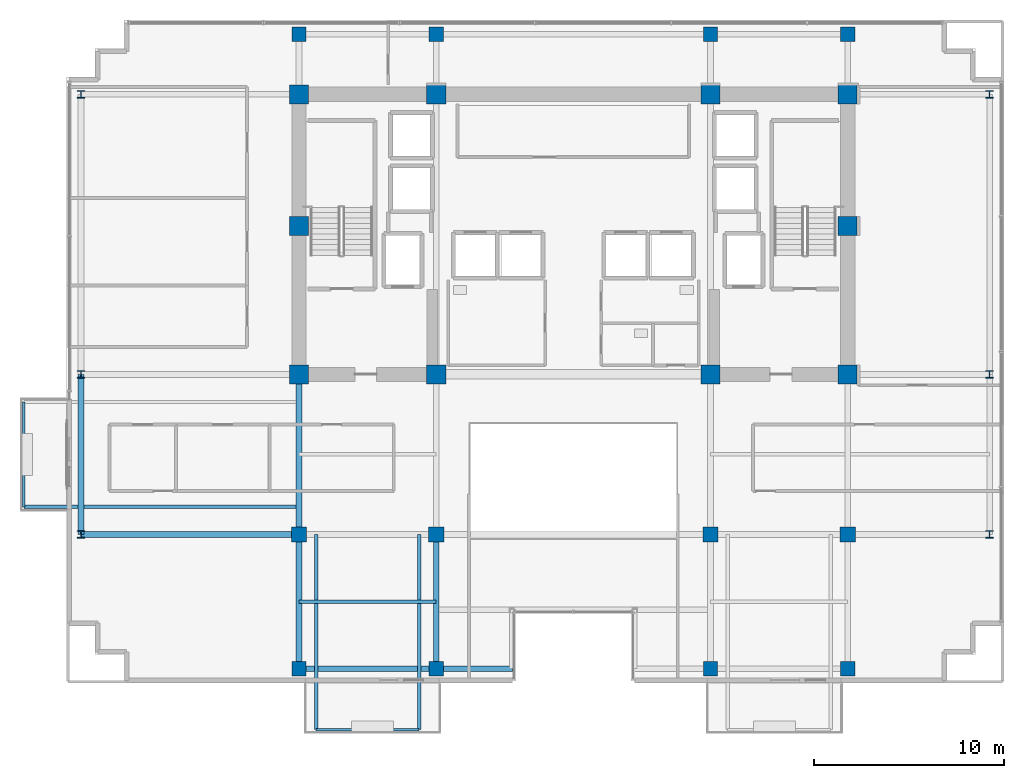
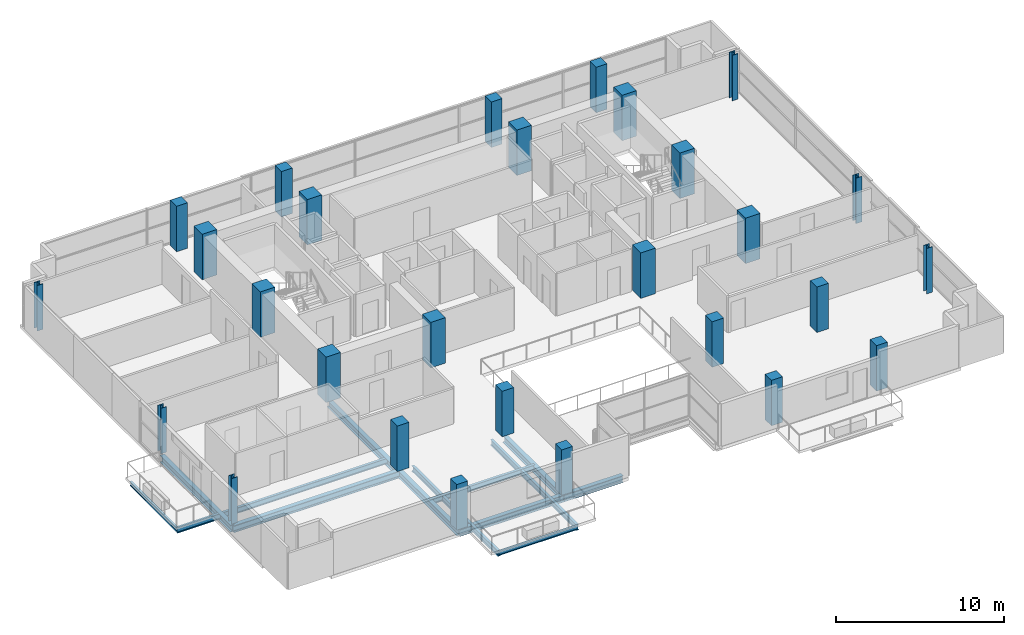
# One storey, part 1 of 21: 28 columns, 13 beams.
"""IFC4 building model written with IfcOpenShell, lengths in metres."""

from ifc_helpers import new_model, si_unit, direction, frame, origin, origin_2d, place, context, subcontext, project, spatial, rectangle, i_section, extrude, material, material_profile, profile_set, type_object, element, save


model = new_model("IFC4")

# Units and contexts
model_context = context("Model", 3, precision=1e-05, world=origin(), true_north=direction((0.0, 1.0)))
body_context = subcontext(model_context, "Body", "Model", "MODEL_VIEW")
ifc_project = project(units=[si_unit("LENGTHUNIT", "METRE"), si_unit("AREAUNIT", "SQUARE_METRE"), si_unit("VOLUMEUNIT", "CUBIC_METRE"), si_unit("PLANEANGLEUNIT", "RADIAN"), si_unit("MASSUNIT", "GRAM", prefix="KILO")], contexts=[model_context])

# Site, building, storey
site_placement = place(None, origin())
site = spatial("IfcSite", under=ifc_project, at=site_placement, CompositionType="ELEMENT")
building_placement = place(site_placement, origin())
building = spatial("IfcBuilding", under=site, at=building_placement, Name="Zarnakvel Exchange Tower", CompositionType="ELEMENT")
storey_placement = place(building_placement, frame((0.0, 0.0, 166.0)))
storey = spatial("IfcBuildingStorey", under=building, at=storey_placement, Name="L46", CompositionType="ELEMENT", Elevation=166.0)

# Columns
ifc_material_1 = material(Name="Concrete C60/75", Category="concrete")
ifc_material_profile_1 = material_profile(ifc_material_1, rectangle(XDim=1.0, YDim=1.0, at=origin_2d()))
ifc_profile_set_1 = profile_set([ifc_material_profile_1], Name="Concrete C60/75")
column_type_1 = type_object("IfcColumnType", Name="CC-02", PredefinedType="COLUMN", material=ifc_profile_set_1)
for number, where, z_axis, x_axis, name in (
    (1, (-14.39990234375, -1.199951171875, 0.0), (0.0, 0.0, 1.0), (1.0, 0.0, 0.0), "L46 Column C-4D (CC-02)"),
    (2, (-7.199951171875, -1.199951171875, 0.0), (0.0, 0.0, 1.0), (1.0, 0.0, 0.0), "L46 Column C-5D (CC-02)"),
    (3, (7.199951171875, -1.199951171875, 0.0), (0.0, 0.0, 1.0), (1.0, 0.0, 0.0), "L46 Column C-8D (CC-02)"),
    (4, (14.39990234375, -1.199951171875, 0.0), (0.0, 0.0, 1.0), (1.0, 0.0, 0.0), "L46 Column C-9D (CC-02)"),
    (5, (-14.39990234375, 6.60009765625, 0.0), (0.0, 0.0, 1.0), (1.0, 0.0, 0.0), "L46 Column C-4E (CC-02)"),
    (6, (14.39990234375, 6.60009765625, 0.0), (0.0, 0.0, 1.0), (1.0, 0.0, 0.0), "L46 Column C-9E (CC-02)"),
    (7, (-14.39990234375, 13.5, 0.0), (0.0, 0.0, 1.0), (1.0, 0.0, 0.0), "L46 Column C-4F (CC-02)"),
    (8, (-7.199951171875, 13.5, 0.0), (0.0, 0.0, 1.0), (1.0, 0.0, 0.0), "L46 Column C-5F (CC-02)"),
    (9, (7.199951171875, 13.5, 0.0), (0.0, 0.0, 1.0), (1.0, 0.0, 0.0), "L46 Column C-8F (CC-02)"),
    (10, (14.39990234375, 13.5, 0.0), (0.0, 0.0, 1.0), (1.0, 0.0, 0.0), "L46 Column C-9F (CC-02)"),
):
    element("IfcColumn", number, at=place(storey_placement, frame(where, z_axis=z_axis, x_axis=x_axis)), inside=storey, type_object=column_type_1, Name=name, PredefinedType="COLUMN", context=body_context, shape_type="SweptSolid", body=[
        extrude(rectangle(XDim=1.0, YDim=1.0, at=origin_2d()), origin(), (0.0, 0.0, 1.0), 3.300048828125),
    ])
ifc_material_2 = material(Name="Steel S355", Category="steel")
ifc_material_profile_2 = material_profile(ifc_material_2, i_section(OverallWidth=0.39892578125, OverallDepth=0.3935546875, WebThickness=0.022705078125, FlangeThickness=0.03662109375, FilletRadius=0.01513671875, at=origin_2d()))
ifc_profile_set_2 = profile_set([ifc_material_profile_2], Name="Steel S355")
column_type_2 = type_object("IfcColumnType", Name="SC-04", PredefinedType="COLUMN", material=ifc_profile_set_2)
for number, where, z_axis, x_axis, name in (
    (11, (-25.85009765625, -9.60009765625, 0.0), (0.0, 0.0, 1.0), (1.0, 0.0, 0.0), "L46 Column TW-C (SC-04)"),
    (12, (21.85009765625, -9.60009765625, 0.0), (0.0, 0.0, 1.0), (1.0, 0.0, 0.0), "L46 Column TE-C (SC-04)"),
    (13, (-25.85009765625, -1.199951171875, 0.0), (0.0, 0.0, 1.0), (1.0, 0.0, 0.0), "L46 Column TW-D (SC-04)"),
    (14, (21.85009765625, -1.199951171875, 0.0), (0.0, 0.0, 1.0), (1.0, 0.0, 0.0), "L46 Column TE-D (SC-04)"),
    (15, (-25.85009765625, 13.5, 0.0), (0.0, 0.0, 1.0), (1.0, 0.0, 0.0), "L46 Column TW-F (SC-04)"),
    (16, (21.85009765625, 13.5, 0.0), (0.0, 0.0, 1.0), (1.0, 0.0, 0.0), "L46 Column TE-F (SC-04)"),
):
    element("IfcColumn", number, at=place(storey_placement, frame(where, z_axis=z_axis, x_axis=x_axis)), inside=storey, type_object=column_type_2, Name=name, PredefinedType="COLUMN", context=body_context, shape_type="SweptSolid", body=[
        extrude(i_section(OverallWidth=0.39892578125, OverallDepth=0.3935546875, WebThickness=0.022705078125, FlangeThickness=0.03662109375, FilletRadius=0.01513671875, at=origin_2d()), origin(), (0.0, 0.0, 1.0), 3.300048828125),
    ])
ifc_material_profile_3 = material_profile(ifc_material_1, rectangle(XDim=0.800048828125, YDim=0.800048828125, at=origin_2d()))
ifc_profile_set_3 = profile_set([ifc_material_profile_3], Name="Concrete C60/75")
column_type_3 = type_object("IfcColumnType", Name="TC-03", PredefinedType="COLUMN", material=ifc_profile_set_3)
for number, where, z_axis, x_axis, name in (
    (17, (-14.39990234375, -9.60009765625, 0.0), (0.0, 0.0, 1.0), (1.0, 0.0, 0.0), "L46 Column T-4C (TC-03)"),
    (18, (-7.199951171875, -9.60009765625, 0.0), (0.0, 0.0, 1.0), (1.0, 0.0, 0.0), "L46 Column T-5C (TC-03)"),
    (19, (7.199951171875, -9.60009765625, 0.0), (0.0, 0.0, 1.0), (1.0, 0.0, 0.0), "L46 Column T-8C (TC-03)"),
    (20, (14.39990234375, -9.60009765625, 0.0), (0.0, 0.0, 1.0), (1.0, 0.0, 0.0), "L46 Column T-9C (TC-03)"),
):
    element("IfcColumn", number, at=place(storey_placement, frame(where, z_axis=z_axis, x_axis=x_axis)), inside=storey, type_object=column_type_3, Name=name, PredefinedType="COLUMN", context=body_context, shape_type="SweptSolid", body=[
        extrude(rectangle(XDim=0.800048828125, YDim=0.800048828125, at=origin_2d()), origin(), (0.0, 0.0, 1.0), 3.300048828125),
    ])
ifc_material_3 = material(Name="Concrete C50/60", Category="concrete")
ifc_material_profile_4 = material_profile(ifc_material_3, rectangle(XDim=0.75, YDim=0.75, at=origin_2d()))
ifc_profile_set_4 = profile_set([ifc_material_profile_4], Name="Concrete C50/60")
column_type_4 = type_object("IfcColumnType", Name="TC-04", PredefinedType="COLUMN", material=ifc_profile_set_4)
for number, where, z_axis, x_axis, name in (
    (21, (-14.39990234375, -16.64990234375, 0.0), (0.0, 0.0, 1.0), (1.0, 0.0, 0.0), "L46 Column TS-4 (TC-04)"),
    (22, (-14.39990234375, 16.64990234375, 0.0), (0.0, 0.0, 1.0), (1.0, 0.0, 0.0), "L46 Column TN-4 (TC-04)"),
    (23, (-7.199951171875, -16.64990234375, 0.0), (0.0, 0.0, 1.0), (1.0, 0.0, 0.0), "L46 Column TS-5 (TC-04)"),
    (24, (-7.199951171875, 16.64990234375, 0.0), (0.0, 0.0, 1.0), (1.0, 0.0, 0.0), "L46 Column TN-5 (TC-04)"),
    (25, (7.199951171875, -16.64990234375, 0.0), (0.0, 0.0, 1.0), (1.0, 0.0, 0.0), "L46 Column TS-8 (TC-04)"),
    (26, (7.199951171875, 16.64990234375, 0.0), (0.0, 0.0, 1.0), (1.0, 0.0, 0.0), "L46 Column TN-8 (TC-04)"),
    (27, (14.39990234375, -16.64990234375, 0.0), (0.0, 0.0, 1.0), (1.0, 0.0, 0.0), "L46 Column TS-9 (TC-04)"),
    (28, (14.39990234375, 16.64990234375, 0.0), (0.0, 0.0, 1.0), (1.0, 0.0, 0.0), "L46 Column TN-9 (TC-04)"),
):
    element("IfcColumn", number, at=place(storey_placement, frame(where, z_axis=z_axis, x_axis=x_axis)), inside=storey, type_object=column_type_4, Name=name, PredefinedType="COLUMN", context=body_context, shape_type="SweptSolid", body=[
        extrude(rectangle(XDim=0.75, YDim=0.75, at=origin_2d()), origin(), (0.0, 0.0, 1.0), 3.300048828125),
    ])

# Beams
ifc_material_profile_5 = material_profile(ifc_material_2, i_section(OverallWidth=0.179931640625, OverallDepth=0.39990234375, WebThickness=0.008544921875, FlangeThickness=0.013427734375, FilletRadius=0.02099609375, at=origin_2d()))
ifc_profile_set_5 = profile_set([ifc_material_profile_5], Name="Steel S355")
beam_type_1 = type_object("IfcBeamType", Name="B-06", PredefinedType="JOIST", material=ifc_profile_set_5)
beam_1_placement = place(storey_placement, frame((-14.39990234375, -13.125, -0.425048828125), z_axis=(1.0, 0.0, 0.0), x_axis=(0.0, 1.0, 0.0)))
element("IfcBeam", 29, at=beam_1_placement, inside=storey, type_object=beam_type_1, Name="L46 Composite Floor Secondary Joist", PredefinedType="JOIST", context=body_context, shape_type="SweptSolid", body=[
    extrude(i_section(OverallWidth=0.179931640625, OverallDepth=0.39990234375, WebThickness=0.008544921875, FlangeThickness=0.013427734375, FilletRadius=0.02099609375, at=origin_2d()), origin(), (0.0, 0.0, 1.0), 7.199951171875),
])
for number, where, z_axis, x_axis, name in (
    (30, (-13.5, -9.60009765625, -0.425048828125), (0.0, -1.0, 0.0), (1.0, 0.0, 0.0), "L46 Continuous Back-Spanned Balcony Beam W"),
    (31, (-8.10009765625, -9.60009765625, -0.425048828125), (0.0, -1.0, 0.0), (1.0, 0.0, 0.0), "L46 Continuous Back-Spanned Balcony Beam E"),
):
    element("IfcBeam", number, at=place(storey_placement, frame(where, z_axis=z_axis, x_axis=x_axis)), inside=storey, type_object=beam_type_1, Name=name, PredefinedType="JOIST", context=body_context, shape_type="SweptSolid", body=[
        extrude(i_section(OverallWidth=0.179931640625, OverallDepth=0.39990234375, WebThickness=0.008544921875, FlangeThickness=0.013427734375, FilletRadius=0.02099609375, at=origin_2d()), origin(), (0.0, 0.0, 1.0), 10.25),
    ])
beam_2_placement = place(storey_placement, frame((-14.39990234375, -8.14990234375, -0.425048828125), z_axis=(-1.0, 0.0, 0.0), x_axis=(0.0, -1.0, 0.0)))
element("IfcBeam", 32, at=beam_2_placement, inside=storey, type_object=beam_type_1, Name="L46 Continuous West Loggia Beam S", PredefinedType="JOIST", context=body_context, shape_type="SweptSolid", body=[
    extrude(i_section(OverallWidth=0.179931640625, OverallDepth=0.39990234375, WebThickness=0.008544921875, FlangeThickness=0.013427734375, FilletRadius=0.02099609375, at=origin_2d()), origin(), (0.0, 0.0, 1.0), 14.4501953125),
])
ifc_material_profile_6 = material_profile(ifc_material_2, i_section(OverallWidth=0.14990234375, OverallDepth=0.300048828125, WebThickness=0.007080078125, FlangeThickness=0.0107421875, FilletRadius=0.014892578125, at=origin_2d()))
ifc_profile_set_6 = profile_set([ifc_material_profile_6], Name="Steel S355")
beam_type_2 = type_object("IfcBeamType", Name="B-08", PredefinedType="JOIST", material=ifc_profile_set_6)
beam_3_placement = place(storey_placement, frame((-13.5, -19.85009765625, -0.375), z_axis=(1.0, 0.0, 0.0), x_axis=(0.0, 1.0, 0.0)))
element("IfcBeam", 33, at=beam_3_placement, inside=storey, type_object=beam_type_2, Name="L46 Balcony Edge Beam", PredefinedType="JOIST", context=body_context, shape_type="SweptSolid", body=[
    extrude(i_section(OverallWidth=0.14990234375, OverallDepth=0.300048828125, WebThickness=0.007080078125, FlangeThickness=0.0107421875, FilletRadius=0.014892578125, at=origin_2d()), origin(), (0.0, 0.0, 1.0), 5.39990234375),
])
beam_4_placement = place(storey_placement, frame((-28.85009765625, -8.14990234375, -0.375), z_axis=(0.0, 1.0, 0.0), x_axis=(-1.0, 0.0, 0.0)))
element("IfcBeam", 34, at=beam_4_placement, inside=storey, type_object=beam_type_2, Name="L46 West Loggia Edge Beam", PredefinedType="JOIST", context=body_context, shape_type="SweptSolid", body=[
    extrude(i_section(OverallWidth=0.14990234375, OverallDepth=0.300048828125, WebThickness=0.007080078125, FlangeThickness=0.0107421875, FilletRadius=0.014892578125, at=origin_2d()), origin(), (0.0, 0.0, 1.0), 5.5),
])
ifc_material_profile_7 = material_profile(ifc_material_2, i_section(OverallWidth=0.300048828125, OverallDepth=0.5, WebThickness=0.014404296875, FlangeThickness=0.028076171875, FilletRadius=0.027099609375, at=origin_2d()))
ifc_profile_set_7 = profile_set([ifc_material_profile_7], Name="Steel S355")
beam_type_3 = type_object("IfcBeamType", Name="G-06", PredefinedType="BEAM", material=ifc_profile_set_7)
beam_5_placement = place(storey_placement, frame((-25.85009765625, -9.60009765625, -0.47509765625), z_axis=(1.0, 0.0, 0.0), x_axis=(0.0, 1.0, 0.0)))
element("IfcBeam", 35, at=beam_5_placement, inside=storey, type_object=beam_type_3, Name="L46 Tower E-W Frame Beam", PredefinedType="BEAM", context=body_context, shape_type="SweptSolid", body=[
    extrude(i_section(OverallWidth=0.300048828125, OverallDepth=0.5, WebThickness=0.014404296875, FlangeThickness=0.028076171875, FilletRadius=0.027099609375, at=origin_2d()), origin(), (0.0, 0.0, 1.0), 11.4501953125),
])
beam_6_placement = place(storey_placement, frame((-14.39990234375, -16.64990234375, -0.47509765625), z_axis=(0.0, 1.0, 0.0), x_axis=(-1.0, 0.0, 0.0)))
element("IfcBeam", 36, at=beam_6_placement, inside=storey, type_object=beam_type_3, Name="L46 Tower N-S Frame Beam", PredefinedType="BEAM", context=body_context, shape_type="SweptSolid", body=[
    extrude(i_section(OverallWidth=0.300048828125, OverallDepth=0.5, WebThickness=0.014404296875, FlangeThickness=0.028076171875, FilletRadius=0.027099609375, at=origin_2d()), origin(), (0.0, 0.0, 1.0), 7.0498046875),
])
beam_7_placement = place(storey_placement, frame((-14.39990234375, -9.60009765625, -0.47509765625), z_axis=(0.0, 1.0, 0.0), x_axis=(-1.0, 0.0, 0.0)))
element("IfcBeam", 37, at=beam_7_placement, inside=storey, type_object=beam_type_3, Name="L46 Tower N-S Frame Beam", PredefinedType="BEAM", context=body_context, shape_type="SweptSolid", body=[
    extrude(i_section(OverallWidth=0.300048828125, OverallDepth=0.5, WebThickness=0.014404296875, FlangeThickness=0.028076171875, FilletRadius=0.027099609375, at=origin_2d()), origin(), (0.0, 0.0, 1.0), 8.400146484375),
])
beam_8_placement = place(storey_placement, frame((-7.199951171875, -16.64990234375, -0.47509765625), z_axis=(0.0, 1.0, 0.0), x_axis=(-1.0, 0.0, 0.0)))
element("IfcBeam", 38, at=beam_8_placement, inside=storey, type_object=beam_type_3, Name="L46 Tower N-S Frame Beam", PredefinedType="BEAM", context=body_context, shape_type="SweptSolid", body=[
    extrude(i_section(OverallWidth=0.300048828125, OverallDepth=0.5, WebThickness=0.014404296875, FlangeThickness=0.028076171875, FilletRadius=0.027099609375, at=origin_2d()), origin(), (0.0, 0.0, 1.0), 7.0498046875),
])
ifc_material_profile_8 = material_profile(ifc_material_2, i_section(OverallWidth=0.300048828125, OverallDepth=0.5, WebThickness=0.014404296875, FlangeThickness=0.028076171875, FilletRadius=0.027099609375, at=origin_2d()))
ifc_profile_set_8 = profile_set([ifc_material_profile_8], Name="Steel S355")
beam_type_4 = type_object("IfcBeamType", Name="SP-02", PredefinedType="SPANDREL", material=ifc_profile_set_8)
beam_9_placement = place(storey_placement, frame((-14.39990234375, -16.64990234375, -0.47509765625), z_axis=(1.0, 0.0, 0.0), x_axis=(0.0, 1.0, 0.0)))
element("IfcBeam", 39, at=beam_9_placement, inside=storey, type_object=beam_type_4, Name="L46 Tower E-W Frame Beam", PredefinedType="SPANDREL", context=body_context, shape_type="SweptSolid", body=[
    extrude(i_section(OverallWidth=0.300048828125, OverallDepth=0.5, WebThickness=0.014404296875, FlangeThickness=0.028076171875, FilletRadius=0.027099609375, at=origin_2d()), origin(), (0.0, 0.0, 1.0), 7.199951171875),
])
beam_10_placement = place(storey_placement, frame((-7.199951171875, -16.64990234375, -0.47509765625), z_axis=(1.0, 0.0, 0.0), x_axis=(0.0, 1.0, 0.0)))
element("IfcBeam", 40, at=beam_10_placement, inside=storey, type_object=beam_type_4, Name="L46 South Slot West Jamb Spandrel", PredefinedType="SPANDREL", context=body_context, shape_type="SweptSolid", body=[
    extrude(i_section(OverallWidth=0.300048828125, OverallDepth=0.5, WebThickness=0.014404296875, FlangeThickness=0.028076171875, FilletRadius=0.027099609375, at=origin_2d()), origin(), (0.0, 0.0, 1.0), 4.0),
])
beam_11_placement = place(storey_placement, frame((-25.85009765625, -9.60009765625, -0.47509765625), z_axis=(0.0, 1.0, 0.0), x_axis=(-1.0, 0.0, 0.0)))
element("IfcBeam", 41, at=beam_11_placement, inside=storey, type_object=beam_type_4, Name="L46 Tower N-S Frame Beam", PredefinedType="SPANDREL", context=body_context, shape_type="SweptSolid", body=[
    extrude(i_section(OverallWidth=0.300048828125, OverallDepth=0.5, WebThickness=0.014404296875, FlangeThickness=0.028076171875, FilletRadius=0.027099609375, at=origin_2d()), origin(), (0.0, 0.0, 1.0), 8.400146484375),
])

save(model, "model.ifc")
